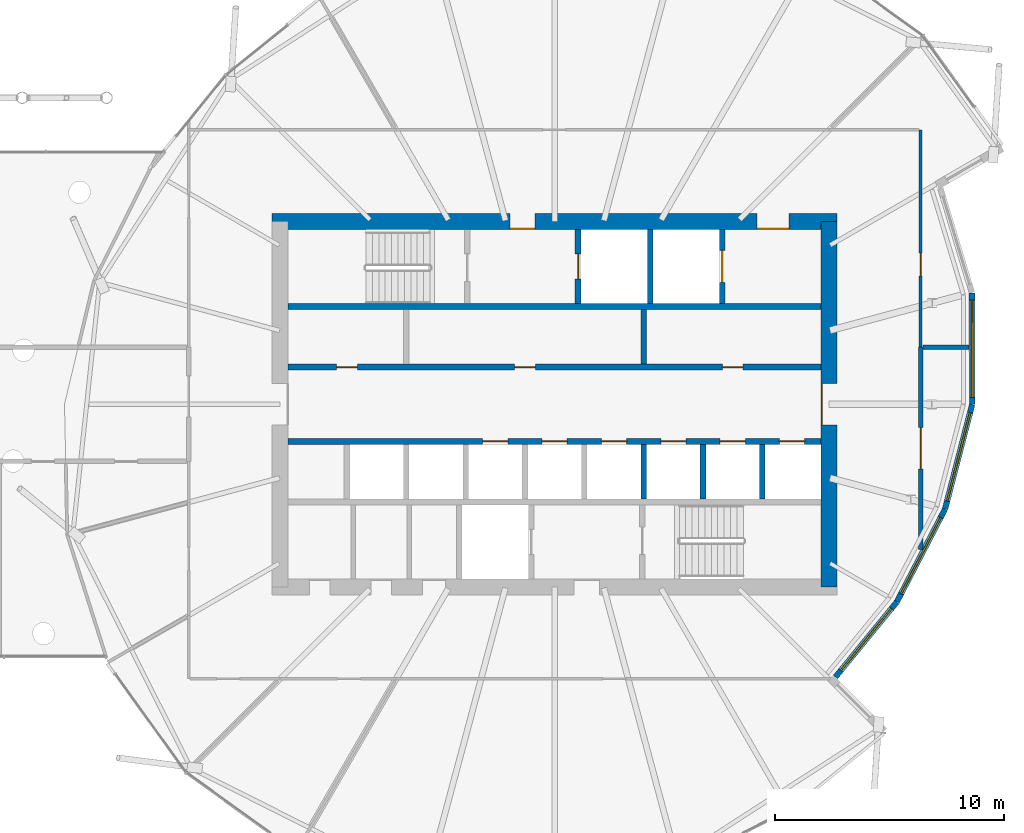
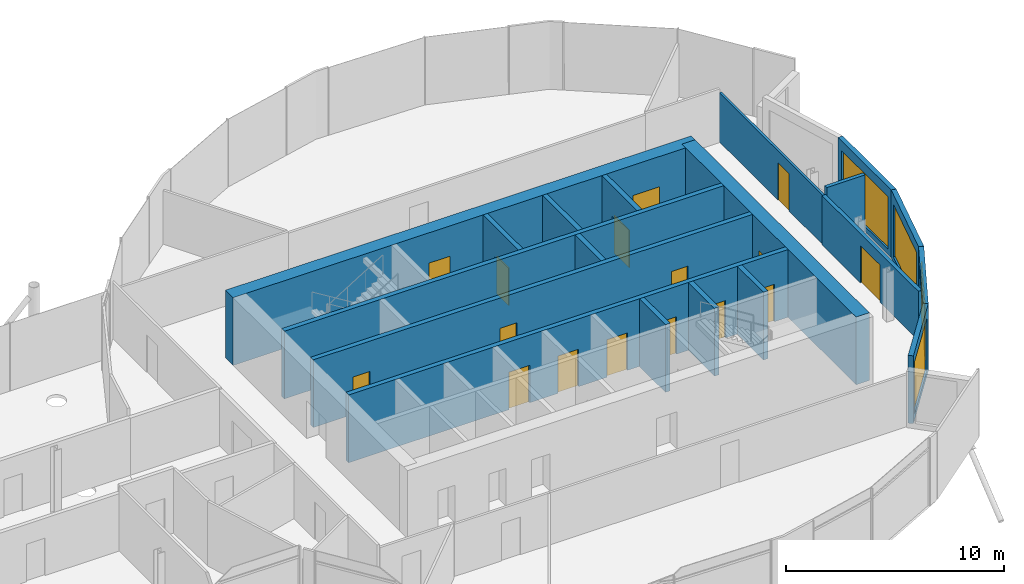
# One storey, part 27 of 39: 19 walls, 16 doors, 4 windows, 20 openings.
"""IFC4 building model written with IfcOpenShell, lengths in metres."""

from ifc_helpers import new_model, si_unit, direction, frame, frame_2d, origin, place, context, subcontext, project, spatial, rectangle, extrude, material, layer, layer_set, type_object, element, fill, save


model = new_model("IFC4")

# Units and contexts
model_context = context("Model", 3, precision=1e-05, world=origin(), true_north=direction((0.0, 1.0)))
body_context = subcontext(model_context, "Body", "Model", "MODEL_VIEW")
ifc_project = project(units=[si_unit("LENGTHUNIT", "METRE"), si_unit("AREAUNIT", "SQUARE_METRE"), si_unit("VOLUMEUNIT", "CUBIC_METRE"), si_unit("PLANEANGLEUNIT", "RADIAN"), si_unit("MASSUNIT", "GRAM", prefix="KILO")], contexts=[model_context])

# Site, building, storey
site_placement = place(None, origin())
site = spatial("IfcSite", under=ifc_project, at=site_placement, CompositionType="ELEMENT")
building_placement = place(site_placement, origin())
building = spatial("IfcBuilding", under=site, at=building_placement, Name="Rimbun Link Towers", CompositionType="ELEMENT")
storey_placement = place(building_placement, frame((0.0, 0.0, 139.199951171875)))
storey = spatial("IfcBuildingStorey", under=building, at=storey_placement, Name="L33", CompositionType="ELEMENT", Elevation=139.199951171875)

# Wall, opening, window
ifc_material_1 = material(Name="Dark enamelled glass spandrel on insulated aluminium backpan", Category="aluminium")
ifc_layer_1 = layer(ifc_material_1, 0.25)
ifc_layer_set_1 = layer_set([ifc_layer_1], Name="CS dark enamelled spandrel wall 250")
wall_type_1 = type_object("IfcWallType", Name="CS dark enamelled spandrel wall 250", PredefinedType="STANDARD", material=ifc_layer_set_1)
wall_1_placement = place(storey_placement, frame((46.711669921875, -8.646728515625, 0.0), z_axis=(0.0, 0.0, 1.0), x_axis=(-0.633071445917, -0.774093369281, 0.0)))
wall_1 = element("IfcWall", 1, at=wall_1_placement, inside=storey, type_object=wall_type_1, Name="Crease spandrel wall", PredefinedType="STANDARD", context=body_context, shape_type="SweptSolid", body=[
    extrude(rectangle(XDim=4.236328125, YDim=0.25, at=frame_2d((2.1181640625, 0.0))), origin(), (0.0, 0.0, 1.0), 3.800048828125),
])
opening_1_placement = place(wall_1_placement, frame((0.3681640625, 0.0, 0.300048828125)))
opening_1 = element("IfcOpeningElement", 2, at=opening_1_placement, cuts=wall_1, Name="Opening WR35H295", PredefinedType="OPENING", context=body_context, shape_type="SweptSolid", body=[
    extrude(rectangle(XDim=3.5, YDim=2.949951171875, at=frame_2d((1.75, 1.47509765625))), frame((0.0, 0.135009765625, 0.0), z_axis=(0.0, -1.0, 0.0), x_axis=(1.0, 0.0, 0.0)), (0.0, 0.0, 1.0), 0.27001953125),
])
ifc_material_2 = material(Name="Aluminium framed fixed window, dark tinted low-e glass", Category="aluminium")
window_type_1 = type_object("IfcWindowType", Name="WR ribbon window 3500X2950", PartitioningType="SINGLE_PANEL", PredefinedType="WINDOW", material=ifc_material_2)
window_1_placement = place(opening_1_placement, origin())
window_1 = element("IfcWindow", 3, at=window_1_placement, inside=storey, type_object=window_type_1, Name="Crease ribbon window", OverallHeight=2.949951171875, OverallWidth=3.5, PartitioningType="SINGLE_PANEL", PredefinedType="WINDOW", context=body_context, shape_type="SweptSolid", body=[
    extrude(rectangle(XDim=3.5, YDim=2.949951171875, at=frame_2d((1.75, 1.47509765625))), frame((0.0, 0.030029296875, 0.0), z_axis=(0.0, -1.0, 0.0), x_axis=(1.0, 0.0, 0.0)), (0.0, 0.0, 1.0), 0.06005859375),
])
fill(opening_1, window_1)

wall_2_placement = place(storey_placement, frame((48.820556640625, -4.587646484375, 0.0), z_axis=(0.0, 0.0, 1.0), x_axis=(-0.46103677095, -0.887381031931, 0.0)))
wall_2 = element("IfcWall", 4, at=wall_2_placement, inside=storey, type_object=wall_type_1, Name="Crease spandrel wall", PredefinedType="STANDARD", context=body_context, shape_type="SweptSolid", body=[
    extrude(rectangle(XDim=4.57421875, YDim=0.25, at=frame_2d((2.287109375, 0.0))), origin(), (0.0, 0.0, 1.0), 3.800048828125),
])
opening_2_placement = place(wall_2_placement, frame((0.412109375, 0.0, 0.300048828125)))
opening_2 = element("IfcOpeningElement", 5, at=opening_2_placement, cuts=wall_2, Name="Opening WR38H295", PredefinedType="OPENING", context=body_context, shape_type="SweptSolid", body=[
    extrude(rectangle(XDim=3.75, YDim=2.949951171875, at=frame_2d((1.875, 1.47509765625))), frame((0.0, 0.135009765625, 0.0), z_axis=(0.0, -1.0, 0.0), x_axis=(1.0, 0.0, 0.0)), (0.0, 0.0, 1.0), 0.27001953125),
])
ifc_material_3 = material(Name="Aluminium framed fixed window, dark tinted low-e glass", Category="aluminium")
window_type_2 = type_object("IfcWindowType", Name="WR ribbon window 3750X2950", PartitioningType="SINGLE_PANEL", PredefinedType="WINDOW", material=ifc_material_3)
window_2_placement = place(opening_2_placement, origin())
window_2 = element("IfcWindow", 6, at=window_2_placement, inside=storey, type_object=window_type_2, Name="Crease ribbon window", OverallHeight=2.949951171875, OverallWidth=3.75, PartitioningType="SINGLE_PANEL", PredefinedType="WINDOW", context=body_context, shape_type="SweptSolid", body=[
    extrude(rectangle(XDim=3.75, YDim=2.949951171875, at=frame_2d((1.875, 1.47509765625))), frame((0.0, 0.030029296875, 0.0), z_axis=(0.0, -1.0, 0.0), x_axis=(1.0, 0.0, 0.0)), (0.0, 0.0, 1.0), 0.06005859375),
])
fill(opening_2, window_2)

wall_3_placement = place(storey_placement, frame((50.00634765625, -0.015869140625, 0.0), z_axis=(0.0, 0.0, 1.0), x_axis=(-0.251064410387, -0.967970382727, 0.0)))
wall_3 = element("IfcWall", 7, at=wall_3_placement, inside=storey, type_object=wall_type_1, Name="Crease spandrel wall", PredefinedType="STANDARD", context=body_context, shape_type="SweptSolid", body=[
    extrude(rectangle(XDim=4.72314453125, YDim=0.25, at=frame_2d((2.361572265625, 0.0))), origin(), (0.0, 0.0, 1.0), 3.800048828125),
])
opening_3_placement = place(wall_3_placement, frame((0.361572265625, 0.0, 0.300048828125)))
opening_3 = element("IfcOpeningElement", 8, at=opening_3_placement, cuts=wall_3, Name="Opening WR40H295", PredefinedType="OPENING", context=body_context, shape_type="SweptSolid", body=[
    extrude(rectangle(XDim=4.0, YDim=2.949951171875, at=frame_2d((2.0, 1.47509765625))), frame((0.0, 0.135009765625, 0.0), z_axis=(0.0, -1.0, 0.0), x_axis=(1.0, 0.0, 0.0)), (0.0, 0.0, 1.0), 0.27001953125),
])
ifc_material_4 = material(Name="Aluminium framed fixed window, dark tinted low-e glass", Category="aluminium")
window_type_3 = type_object("IfcWindowType", Name="WR ribbon window 4000X2950", PartitioningType="SINGLE_PANEL", PredefinedType="WINDOW", material=ifc_material_4)
window_3_placement = place(opening_3_placement, origin())
window_3 = element("IfcWindow", 9, at=window_3_placement, inside=storey, type_object=window_type_3, Name="Crease ribbon window", OverallHeight=2.949951171875, OverallWidth=4.0, PartitioningType="SINGLE_PANEL", PredefinedType="WINDOW", context=body_context, shape_type="SweptSolid", body=[
    extrude(rectangle(XDim=4.0, YDim=2.949951171875, at=frame_2d((2.0, 1.47509765625))), frame((0.0, 0.030029296875, 0.0), z_axis=(0.0, -1.0, 0.0), x_axis=(1.0, 0.0, 0.0)), (0.0, 0.0, 1.0), 0.06005859375),
])
fill(opening_3, window_3)

wall_4_placement = place(storey_placement, frame((49.998291015625, 4.874755859375, 0.0), z_axis=(0.0, 0.0, 1.0), x_axis=(0.001647361982, -0.999998643098, 0.0)))
wall_4 = element("IfcWall", 10, at=wall_4_placement, inside=storey, type_object=wall_type_1, Name="Crease spandrel wall", PredefinedType="STANDARD", context=body_context, shape_type="SweptSolid", body=[
    extrude(rectangle(XDim=4.890625, YDim=0.25, at=frame_2d((2.4453125, 0.0))), origin(), (0.0, 0.0, 1.0), 3.800048828125),
])
opening_4_placement = place(wall_4_placement, frame((0.3203125, 0.0, 0.300048828125)))
opening_4 = element("IfcOpeningElement", 11, at=opening_4_placement, cuts=wall_4, Name="Opening WR42H295", PredefinedType="OPENING", context=body_context, shape_type="SweptSolid", body=[
    extrude(rectangle(XDim=4.25, YDim=2.949951171875, at=frame_2d((2.125, 1.47509765625))), frame((0.0, 0.135009765625, 0.0), z_axis=(0.0, -1.0, 0.0), x_axis=(1.0, 0.0, 0.0)), (0.0, 0.0, 1.0), 0.27001953125),
])
ifc_material_5 = material(Name="Aluminium framed fixed window, dark tinted low-e glass", Category="aluminium")
window_type_4 = type_object("IfcWindowType", Name="WR ribbon window 4250X2950", PartitioningType="SINGLE_PANEL", PredefinedType="WINDOW", material=ifc_material_5)
window_4_placement = place(opening_4_placement, origin())
window_4 = element("IfcWindow", 12, at=window_4_placement, inside=storey, type_object=window_type_4, Name="Crease ribbon window", OverallHeight=2.949951171875, OverallWidth=4.25, PartitioningType="SINGLE_PANEL", PredefinedType="WINDOW", context=body_context, shape_type="SweptSolid", body=[
    extrude(rectangle(XDim=4.25, YDim=2.949951171875, at=frame_2d((2.125, 1.47509765625))), frame((0.0, 0.030029296875, 0.0), z_axis=(0.0, -1.0, 0.0), x_axis=(1.0, 0.0, 0.0)), (0.0, 0.0, 1.0), 0.06005859375),
])
fill(opening_4, window_4)

# Wall, openings, doors
ifc_material_6 = material(Name="Concrete C60/75", Category="concrete")
ifc_layer_2 = layer(ifc_material_6, 0.699951171875)
ifc_layer_set_2 = layer_set([ifc_layer_2], Name="Core shear wall 700")
wall_type_2 = type_object("IfcWallType", Name="Core shear wall 700", PredefinedType="SHEAR", material=ifc_layer_set_2)
wall_5_placement = place(storey_placement, frame((19.39990234375, 8.0, 0.0), z_axis=(0.0, 0.0, 1.0), x_axis=(1.0, 0.0, 0.0)))
wall_5 = element("IfcWall", 13, at=wall_5_placement, inside=storey, type_object=wall_type_2, Name="L33 T2 core wall N", PredefinedType="SHEAR", context=body_context, shape_type="SweptSolid", body=[
    extrude(rectangle(XDim=24.7001953125, YDim=0.699951171875, at=frame_2d((12.35009765625, 0.0))), origin(), (0.0, 0.0, 1.0), 3.800048828125),
])
opening_5_placement = place(wall_5_placement, frame((10.39990234375, 0.0, 0.0)))
opening_5 = element("IfcOpeningElement", 14, at=opening_5_placement, cuts=wall_5, Name="Opening C2DCF01N", PredefinedType="OPENING", context=body_context, shape_type="SweptSolid", body=[
    extrude(rectangle(XDim=1.10009765625, YDim=2.10009765625, at=frame_2d((0.550048828125, 1.050048828125))), frame((0.0, 0.35986328125, 0.0), z_axis=(0.0, -1.0, 0.0), x_axis=(1.0, 0.0, 0.0)), (0.0, 0.0, 1.0), 0.719970703125),
])
opening_6_placement = place(wall_5_placement, frame((21.199951171875, 0.0, 0.0)))
opening_6 = element("IfcOpeningElement", 15, at=opening_6_placement, cuts=wall_5, Name="Opening C2DSL02N", PredefinedType="OPENING", context=body_context, shape_type="SweptSolid", body=[
    extrude(rectangle(XDim=1.39990234375, YDim=2.10009765625, at=frame_2d((0.699951171875, 1.050048828125))), frame((0.0, 0.35986328125, 0.0), z_axis=(0.0, -1.0, 0.0), x_axis=(1.0, 0.0, 0.0)), (0.0, 0.0, 1.0), 0.719970703125),
])
ifc_material_7 = material(Name="Steel fire door set", Category="steel")
door_type_1 = type_object("IfcDoorType", Name="Core fire door single", OperationType="SINGLE_SWING_LEFT", PredefinedType="DOOR", material=ifc_material_7)
door_1_placement = place(opening_5_placement, origin())
door_1 = element("IfcDoor", 16, at=door_1_placement, inside=storey, type_object=door_type_1, Name="L33 T2 firefighting lobby n door", OperationType="SINGLE_SWING_LEFT", OverallHeight=2.10009765625, OverallWidth=1.10009765625, PredefinedType="DOOR", context=body_context, shape_type="SweptSolid", body=[
    extrude(rectangle(XDim=1.10009765625, YDim=2.10009765625, at=frame_2d((0.550048828125, 1.050048828125))), frame((0.0, -0.2998046875, 0.0), z_axis=(0.0, -1.0, 0.0), x_axis=(1.0, 0.0, 0.0)), (0.0, 0.0, 1.0), 0.050048828125),
])
fill(opening_5, door_1)
ifc_material_8 = material(Name="Steel fire door set", Category="steel")
door_type_2 = type_object("IfcDoorType", Name="Service lobby door double", OperationType="DOUBLE_DOOR_SINGLE_SWING", PredefinedType="DOOR", material=ifc_material_8)
door_2_placement = place(opening_6_placement, origin())
door_2 = element("IfcDoor", 17, at=door_2_placement, inside=storey, type_object=door_type_2, Name="L33 T2 service lobby door", OperationType="DOUBLE_DOOR_SINGLE_SWING", OverallHeight=2.10009765625, OverallWidth=1.39990234375, PredefinedType="DOOR", context=body_context, shape_type="SweptSolid", body=[
    extrude(rectangle(XDim=1.39990234375, YDim=2.10009765625, at=frame_2d((0.699951171875, 1.050048828125))), frame((0.0, -0.2998046875, 0.0), z_axis=(0.0, -1.0, 0.0), x_axis=(1.0, 0.0, 0.0)), (0.0, 0.0, 1.0), 0.050048828125),
])
fill(opening_6, door_2)

# Wall, opening, door
wall_6_placement = place(storey_placement, frame((43.75, -8.0, 0.0), z_axis=(0.0, 0.0, 1.0), x_axis=(0.0, 1.0, 0.0)))
wall_6 = element("IfcWall", 18, at=wall_6_placement, inside=storey, type_object=wall_type_2, Name="L33 T2 core wall E", PredefinedType="SHEAR", context=body_context, shape_type="SweptSolid", body=[
    extrude(rectangle(XDim=16.0, YDim=0.699951171875, at=frame_2d((8.0, 0.0))), origin(), (0.0, 0.0, 1.0), 3.800048828125),
])
opening_7_placement = place(wall_6_placement, frame((7.10009765625, 0.0, 0.0)))
opening_7 = element("IfcOpeningElement", 19, at=opening_7_placement, cuts=wall_6, Name="Opening C2DCL01E", PredefinedType="OPENING", context=body_context, shape_type="SweptSolid", body=[
    extrude(rectangle(XDim=1.800048828125, YDim=2.10009765625, at=frame_2d((0.89990234375, 1.050048828125))), frame((0.0, 0.35986328125, 0.0), z_axis=(0.0, -1.0, 0.0), x_axis=(1.0, 0.0, 0.0)), (0.0, 0.0, 1.0), 0.719970703125),
])
ifc_material_9 = material(Name="Steel fire door set", Category="steel")
door_type_3 = type_object("IfcDoorType", Name="Core lobby door double", OperationType="DOUBLE_DOOR_SINGLE_SWING", PredefinedType="DOOR", material=ifc_material_9)
door_3_placement = place(opening_7_placement, origin())
door_3 = element("IfcDoor", 20, at=door_3_placement, inside=storey, type_object=door_type_3, Name="L33 T2 lift lobby door", OperationType="DOUBLE_DOOR_SINGLE_SWING", OverallHeight=2.10009765625, OverallWidth=1.800048828125, PredefinedType="DOOR", context=body_context, shape_type="SweptSolid", body=[
    extrude(rectangle(XDim=1.800048828125, YDim=2.10009765625, at=frame_2d((0.89990234375, 1.050048828125))), frame((0.0, 0.35009765625, 0.0), z_axis=(0.0, -1.0, 0.0), x_axis=(1.0, 0.0, 0.0)), (0.0, 0.0, 1.0), 0.050048828125),
])
fill(opening_7, door_3)

ifc_material_10 = material(Name="Concrete blockwork", Category="masonry")
ifc_layer_3 = layer(ifc_material_10, 0.199951171875)
ifc_layer_set_3 = layer_set([ifc_layer_3], Name="Fire partition 200 blockwork")
wall_type_3 = type_object("IfcWallType", Name="Fire partition 200 blockwork", PredefinedType="PARTITIONING", material=ifc_layer_set_3)
wall_7_placement = place(storey_placement, frame((47.75, -6.346923828125, 0.0), z_axis=(0.0, 0.0, 1.0), x_axis=(0.0, 1.0, 0.0)))
wall_7 = element("IfcWall", 21, at=wall_7_placement, inside=storey, type_object=wall_type_3, Name="TW/PW/L33/035", PredefinedType="PARTITIONING", context=body_context, shape_type="SweptSolid", body=[
    extrude(rectangle(XDim=8.846923828125, YDim=0.199951171875, at=frame_2d((4.42333984375, 0.0))), origin(), (0.0, 0.0, 1.0), 2.759033203125),
])
opening_8_placement = place(wall_7_placement, frame((3.52294921875, 0.0, 0.0)))
opening_8 = element("IfcOpeningElement", 22, at=opening_8_placement, cuts=wall_7, Name="Opening TW D33.25", PredefinedType="OPENING", context=body_context, shape_type="SweptSolid", body=[
    extrude(rectangle(XDim=1.800048828125, YDim=2.10009765625, at=frame_2d((0.89990234375, 1.050048828125))), frame((0.0, 0.10986328125, 0.0), z_axis=(0.0, -1.0, 0.0), x_axis=(1.0, 0.0, 0.0)), (0.0, 0.0, 1.0), 0.219970703125),
])
ifc_material_11 = material(Name="Steel fire door set", Category="steel")
door_type_4 = type_object("IfcDoorType", Name="Fire door double leaf 1800 x 2100", OperationType="NOTDEFINED", PredefinedType="DOOR", material=ifc_material_11)
door_4_placement = place(opening_8_placement, origin())
door_4 = element("IfcDoor", 23, at=door_4_placement, inside=storey, type_object=door_type_4, Name="TW/DR/L33/025", OperationType="DOUBLE_DOOR_SINGLE_SWING", OverallHeight=2.10009765625, OverallWidth=1.800048828125, PredefinedType="DOOR", context=body_context, shape_type="SweptSolid", body=[
    extrude(rectangle(XDim=1.800048828125, YDim=2.10009765625, at=frame_2d((0.89990234375, 1.050048828125))), frame((0.0, 0.02490234375, 0.0), z_axis=(0.0, -1.0, 0.0), x_axis=(1.0, 0.0, 0.0)), (0.0, 0.0, 1.0), 0.050048828125),
])
fill(opening_8, door_4)

# Wall
wall_8_placement = place(storey_placement, frame((49.877197265625, 2.5, 0.0), z_axis=(0.0, 0.0, 1.0), x_axis=(-1.0, 0.0, 0.0)))
element("IfcWall", 24, at=wall_8_placement, inside=storey, type_object=wall_type_3, Name="TW/PW/L33/048", PredefinedType="PARTITIONING", context=body_context, shape_type="SweptSolid", body=[
    extrude(rectangle(XDim=2.027099609375, YDim=0.199951171875, at=frame_2d((1.013671875, 0.0))), origin(), (0.0, 0.0, 1.0), 3.194091796875),
])

# Wall, opening, door
ifc_material_12 = material(Name="Gypsum board on steel studs", Category="steel")
ifc_layer_4 = layer(ifc_material_12, 0.125)
ifc_layer_set_4 = layer_set([ifc_layer_4], Name="Partition 125 board on studs")
wall_type_4 = type_object("IfcWallType", Name="Partition 125 board on studs", PredefinedType="PARTITIONING", material=ifc_layer_set_4)
wall_9_placement = place(storey_placement, frame((47.75, 2.5, 0.0), z_axis=(0.0, 0.0, 1.0), x_axis=(0.0, 1.0, 0.0)))
wall_9 = element("IfcWall", 25, at=wall_9_placement, inside=storey, type_object=wall_type_4, Name="TW/PW/L33/042", PredefinedType="PARTITIONING", context=body_context, shape_type="SweptSolid", body=[
    extrude(rectangle(XDim=9.5, YDim=0.125, at=frame_2d((4.75, 0.0))), origin(), (0.0, 0.0, 1.0), 2.759033203125),
])
opening_9_placement = place(wall_9_placement, frame((3.110107421875, 0.0, 0.0)))
opening_9 = element("IfcOpeningElement", 26, at=opening_9_placement, cuts=wall_9, Name="Opening TW D33.14", PredefinedType="OPENING", context=body_context, shape_type="SweptSolid", body=[
    extrude(rectangle(XDim=1.0, YDim=2.10009765625, at=frame_2d((0.5, 1.050048828125))), frame((0.0, 0.072509765625, 0.0), z_axis=(0.0, -1.0, 0.0), x_axis=(1.0, 0.0, 0.0)), (0.0, 0.0, 1.0), 0.14501953125),
])
ifc_material_13 = material(Name="Timber door set", Category="wood")
door_type_5 = type_object("IfcDoorType", Name="Door single leaf 1000 x 2100", OperationType="NOTDEFINED", PredefinedType="DOOR", material=ifc_material_13)
door_5_placement = place(opening_9_placement, origin())
door_5 = element("IfcDoor", 27, at=door_5_placement, inside=storey, type_object=door_type_5, Name="TW/DR/L33/014", OperationType="SINGLE_SWING_LEFT", OverallHeight=2.10009765625, OverallWidth=1.0, PredefinedType="DOOR", context=body_context, shape_type="SweptSolid", body=[
    extrude(rectangle(XDim=1.0, YDim=2.10009765625, at=frame_2d((0.5, 1.050048828125))), frame((0.0, 0.02490234375, 0.0), z_axis=(0.0, -1.0, 0.0), x_axis=(1.0, 0.0, 0.0)), (0.0, 0.0, 1.0), 0.050048828125),
])
fill(opening_9, door_5)

# Wall
ifc_material_14 = material(Name="Concrete C60/75", Category="concrete")
ifc_layer_5 = layer(ifc_material_14, 0.25)
ifc_layer_set_5 = layer_set([ifc_layer_5], Name="Shaft wall 250")
wall_type_5 = type_object("IfcWallType", Name="Shaft wall 250", PredefinedType="SHEAR", material=ifc_layer_set_5)
wall_10_placement = place(storey_placement, frame((20.10009765625, 4.27490234375, 0.0), z_axis=(0.0, 0.0, 1.0), x_axis=(1.0, 0.0, 0.0)))
element("IfcWall", 28, at=wall_10_placement, inside=storey, type_object=wall_type_5, Name="L33 T2 core wall BN", PredefinedType="SHEAR", context=body_context, shape_type="SweptSolid", body=[
    extrude(rectangle(XDim=23.2998046875, YDim=0.25, at=frame_2d((11.64990234375, 0.0))), origin(), (0.0, 0.0, 1.0), 3.800048828125),
])

# Wall, openings, doors
wall_11_placement = place(storey_placement, frame((20.10009765625, 1.625, 0.0), z_axis=(0.0, 0.0, 1.0), x_axis=(1.0, 0.0, 0.0)))
wall_11 = element("IfcWall", 29, at=wall_11_placement, inside=storey, type_object=wall_type_5, Name="L33 T2 core wall FN", PredefinedType="SHEAR", context=body_context, shape_type="SweptSolid", body=[
    extrude(rectangle(XDim=23.2998046875, YDim=0.25, at=frame_2d((11.64990234375, 0.0))), origin(), (0.0, 0.0, 1.0), 3.800048828125),
])
opening_10_placement = place(wall_11_placement, frame((2.119384765625, 0.0, 0.0)))
opening_10 = element("IfcOpeningElement", 30, at=opening_10_placement, cuts=wall_11, Name="Opening C2DRS01FN", PredefinedType="OPENING", context=body_context, shape_type="SweptSolid", body=[
    extrude(rectangle(XDim=0.89990234375, YDim=2.10009765625, at=frame_2d((0.449951171875, 1.050048828125))), frame((0.0, 0.135009765625, 0.0), z_axis=(0.0, -1.0, 0.0), x_axis=(1.0, 0.0, 0.0)), (0.0, 0.0, 1.0), 0.27001953125),
])
opening_11_placement = place(wall_11_placement, frame((9.90283203125, 0.0, 0.0)))
opening_11 = element("IfcOpeningElement", 31, at=opening_11_placement, cuts=wall_11, Name="Opening C2DRS02FN", PredefinedType="OPENING", context=body_context, shape_type="SweptSolid", body=[
    extrude(rectangle(XDim=0.89990234375, YDim=2.10009765625, at=frame_2d((0.449951171875, 1.050048828125))), frame((0.0, 0.135009765625, 0.0), z_axis=(0.0, -1.0, 0.0), x_axis=(1.0, 0.0, 0.0)), (0.0, 0.0, 1.0), 0.27001953125),
])
opening_12_placement = place(wall_11_placement, frame((18.9833984375, 0.0, 0.0)))
opening_12 = element("IfcOpeningElement", 32, at=opening_12_placement, cuts=wall_11, Name="Opening C2DRS03FN", PredefinedType="OPENING", context=body_context, shape_type="SweptSolid", body=[
    extrude(rectangle(XDim=0.89990234375, YDim=2.10009765625, at=frame_2d((0.449951171875, 1.050048828125))), frame((0.0, 0.135009765625, 0.0), z_axis=(0.0, -1.0, 0.0), x_axis=(1.0, 0.0, 0.0)), (0.0, 0.0, 1.0), 0.27001953125),
])
ifc_material_15 = material(Name="Steel fire door set", Category="steel")
door_type_6 = type_object("IfcDoorType", Name="Core riser door", OperationType="SINGLE_SWING_LEFT", PredefinedType="DOOR", material=ifc_material_15)
door_6_placement = place(opening_10_placement, origin())
door_6 = element("IfcDoor", 33, at=door_6_placement, inside=storey, type_object=door_type_6, Name="L33 T2 print room door", OperationType="SINGLE_SWING_LEFT", OverallHeight=2.10009765625, OverallWidth=0.89990234375, PredefinedType="DOOR", context=body_context, shape_type="SweptSolid", body=[
    extrude(rectangle(XDim=0.89990234375, YDim=2.10009765625, at=frame_2d((0.449951171875, 1.050048828125))), frame((0.0, 0.02490234375, 0.0), z_axis=(0.0, -1.0, 0.0), x_axis=(1.0, 0.0, 0.0)), (0.0, 0.0, 1.0), 0.050048828125),
])
fill(opening_10, door_6)
door_7_placement = place(opening_11_placement, origin())
door_7 = element("IfcDoor", 34, at=door_7_placement, inside=storey, type_object=door_type_6, Name="L33 T2 services room door", OperationType="SINGLE_SWING_LEFT", OverallHeight=2.10009765625, OverallWidth=0.89990234375, PredefinedType="DOOR", context=body_context, shape_type="SweptSolid", body=[
    extrude(rectangle(XDim=0.89990234375, YDim=2.10009765625, at=frame_2d((0.449951171875, 1.050048828125))), frame((0.0, 0.02490234375, 0.0), z_axis=(0.0, -1.0, 0.0), x_axis=(1.0, 0.0, 0.0)), (0.0, 0.0, 1.0), 0.050048828125),
])
fill(opening_11, door_7)
door_8_placement = place(opening_12_placement, origin())
door_8 = element("IfcDoor", 35, at=door_8_placement, inside=storey, type_object=door_type_6, Name="L33 T2 records store door", OperationType="SINGLE_SWING_LEFT", OverallHeight=2.10009765625, OverallWidth=0.89990234375, PredefinedType="DOOR", context=body_context, shape_type="SweptSolid", body=[
    extrude(rectangle(XDim=0.89990234375, YDim=2.10009765625, at=frame_2d((0.449951171875, 1.050048828125))), frame((0.0, 0.02490234375, 0.0), z_axis=(0.0, -1.0, 0.0), x_axis=(1.0, 0.0, 0.0)), (0.0, 0.0, 1.0), 0.050048828125),
])
fill(opening_12, door_8)

wall_12_placement = place(storey_placement, frame((20.10009765625, -1.625, 0.0), z_axis=(0.0, 0.0, 1.0), x_axis=(1.0, 0.0, 0.0)))
wall_12 = element("IfcWall", 36, at=wall_12_placement, inside=storey, type_object=wall_type_5, Name="L33 T2 core wall FS", PredefinedType="SHEAR", context=body_context, shape_type="SweptSolid", body=[
    extrude(rectangle(XDim=23.2998046875, YDim=0.25, at=frame_2d((11.64990234375, 0.0))), origin(), (0.0, 0.0, 1.0), 3.800048828125),
])
opening_13_placement = place(wall_12_placement, frame((8.505615234375, 0.0, 0.0)))
opening_13 = element("IfcOpeningElement", 37, at=opening_13_placement, cuts=wall_12, Name="Opening LD-T2-HR1", PredefinedType="OPENING", context=body_context, shape_type="SweptSolid", body=[
    extrude(rectangle(XDim=1.10009765625, YDim=2.10009765625, at=frame_2d((0.550048828125, 1.050048828125))), frame((0.0, 0.135009765625, 0.0), z_axis=(0.0, -1.0, 0.0), x_axis=(1.0, 0.0, 0.0)), (0.0, 0.0, 1.0), 0.27001953125),
])
opening_14_placement = place(wall_12_placement, frame((11.10009765625, 0.0, 0.0)))
opening_14 = element("IfcOpeningElement", 38, at=opening_14_placement, cuts=wall_12, Name="Opening LD-T2-HR2", PredefinedType="OPENING", context=body_context, shape_type="SweptSolid", body=[
    extrude(rectangle(XDim=1.10009765625, YDim=2.10009765625, at=frame_2d((0.550048828125, 1.050048828125))), frame((0.0, 0.135009765625, 0.0), z_axis=(0.0, -1.0, 0.0), x_axis=(1.0, 0.0, 0.0)), (0.0, 0.0, 1.0), 0.27001953125),
])
opening_15_placement = place(wall_12_placement, frame((13.6943359375, 0.0, 0.0)))
opening_15 = element("IfcOpeningElement", 39, at=opening_15_placement, cuts=wall_12, Name="Opening LD-T2-HR3", PredefinedType="OPENING", context=body_context, shape_type="SweptSolid", body=[
    extrude(rectangle(XDim=1.10009765625, YDim=2.10009765625, at=frame_2d((0.550048828125, 1.050048828125))), frame((0.0, 0.135009765625, 0.0), z_axis=(0.0, -1.0, 0.0), x_axis=(1.0, 0.0, 0.0)), (0.0, 0.0, 1.0), 0.27001953125),
])
opening_16_placement = place(wall_12_placement, frame((16.288818359375, 0.0, 0.0)))
opening_16 = element("IfcOpeningElement", 40, at=opening_16_placement, cuts=wall_12, Name="Opening LD-T2-HR4", PredefinedType="OPENING", context=body_context, shape_type="SweptSolid", body=[
    extrude(rectangle(XDim=1.10009765625, YDim=2.10009765625, at=frame_2d((0.550048828125, 1.050048828125))), frame((0.0, 0.135009765625, 0.0), z_axis=(0.0, -1.0, 0.0), x_axis=(1.0, 0.0, 0.0)), (0.0, 0.0, 1.0), 0.27001953125),
])
opening_17_placement = place(wall_12_placement, frame((18.88330078125, 0.0, 0.0)))
opening_17 = element("IfcOpeningElement", 41, at=opening_17_placement, cuts=wall_12, Name="Opening LD-T2-HR5", PredefinedType="OPENING", context=body_context, shape_type="SweptSolid", body=[
    extrude(rectangle(XDim=1.10009765625, YDim=2.10009765625, at=frame_2d((0.550048828125, 1.050048828125))), frame((0.0, 0.135009765625, 0.0), z_axis=(0.0, -1.0, 0.0), x_axis=(1.0, 0.0, 0.0)), (0.0, 0.0, 1.0), 0.27001953125),
])
opening_18_placement = place(wall_12_placement, frame((21.477783203125, 0.0, 0.0)))
opening_18 = element("IfcOpeningElement", 42, at=opening_18_placement, cuts=wall_12, Name="Opening LD-T2-HR6", PredefinedType="OPENING", context=body_context, shape_type="SweptSolid", body=[
    extrude(rectangle(XDim=1.10009765625, YDim=2.10009765625, at=frame_2d((0.550048828125, 1.050048828125))), frame((0.0, 0.135009765625, 0.0), z_axis=(0.0, -1.0, 0.0), x_axis=(1.0, 0.0, 0.0)), (0.0, 0.0, 1.0), 0.27001953125),
])
ifc_material_16 = material(Name="Stainless steel grade 316", Category="steel")
door_type_7 = type_object("IfcDoorType", Name="Lift landing door", OperationType="DOUBLE_DOOR_SLIDING", PredefinedType="DOOR", material=ifc_material_16)
door_9_placement = place(opening_13_placement, origin())
door_9 = element("IfcDoor", 43, at=door_9_placement, inside=storey, type_object=door_type_7, Name="L33 T2 lift HR1 landing door", OperationType="DOUBLE_DOOR_SLIDING", OverallHeight=2.10009765625, OverallWidth=1.10009765625, PredefinedType="DOOR", context=body_context, shape_type="SweptSolid", body=[
    extrude(rectangle(XDim=1.10009765625, YDim=2.10009765625, at=frame_2d((0.550048828125, 1.050048828125))), frame((0.0, 0.02490234375, 0.0), z_axis=(0.0, -1.0, 0.0), x_axis=(1.0, 0.0, 0.0)), (0.0, 0.0, 1.0), 0.050048828125),
])
fill(opening_13, door_9)
door_10_placement = place(opening_14_placement, origin())
door_10 = element("IfcDoor", 44, at=door_10_placement, inside=storey, type_object=door_type_7, Name="L33 T2 lift HR2 landing door", OperationType="DOUBLE_DOOR_SLIDING", OverallHeight=2.10009765625, OverallWidth=1.10009765625, PredefinedType="DOOR", context=body_context, shape_type="SweptSolid", body=[
    extrude(rectangle(XDim=1.10009765625, YDim=2.10009765625, at=frame_2d((0.550048828125, 1.050048828125))), frame((0.0, 0.02490234375, 0.0), z_axis=(0.0, -1.0, 0.0), x_axis=(1.0, 0.0, 0.0)), (0.0, 0.0, 1.0), 0.050048828125),
])
fill(opening_14, door_10)
door_11_placement = place(opening_15_placement, origin())
door_11 = element("IfcDoor", 45, at=door_11_placement, inside=storey, type_object=door_type_7, Name="L33 T2 lift HR3 landing door", OperationType="DOUBLE_DOOR_SLIDING", OverallHeight=2.10009765625, OverallWidth=1.10009765625, PredefinedType="DOOR", context=body_context, shape_type="SweptSolid", body=[
    extrude(rectangle(XDim=1.10009765625, YDim=2.10009765625, at=frame_2d((0.550048828125, 1.050048828125))), frame((0.0, 0.02490234375, 0.0), z_axis=(0.0, -1.0, 0.0), x_axis=(1.0, 0.0, 0.0)), (0.0, 0.0, 1.0), 0.050048828125),
])
fill(opening_15, door_11)
door_12_placement = place(opening_16_placement, origin())
door_12 = element("IfcDoor", 46, at=door_12_placement, inside=storey, type_object=door_type_7, Name="L33 T2 lift HR4 landing door", OperationType="DOUBLE_DOOR_SLIDING", OverallHeight=2.10009765625, OverallWidth=1.10009765625, PredefinedType="DOOR", context=body_context, shape_type="SweptSolid", body=[
    extrude(rectangle(XDim=1.10009765625, YDim=2.10009765625, at=frame_2d((0.550048828125, 1.050048828125))), frame((0.0, 0.02490234375, 0.0), z_axis=(0.0, -1.0, 0.0), x_axis=(1.0, 0.0, 0.0)), (0.0, 0.0, 1.0), 0.050048828125),
])
fill(opening_16, door_12)
door_13_placement = place(opening_17_placement, origin())
door_13 = element("IfcDoor", 47, at=door_13_placement, inside=storey, type_object=door_type_7, Name="L33 T2 lift HR5 landing door", OperationType="DOUBLE_DOOR_SLIDING", OverallHeight=2.10009765625, OverallWidth=1.10009765625, PredefinedType="DOOR", context=body_context, shape_type="SweptSolid", body=[
    extrude(rectangle(XDim=1.10009765625, YDim=2.10009765625, at=frame_2d((0.550048828125, 1.050048828125))), frame((0.0, 0.02490234375, 0.0), z_axis=(0.0, -1.0, 0.0), x_axis=(1.0, 0.0, 0.0)), (0.0, 0.0, 1.0), 0.050048828125),
])
fill(opening_17, door_13)
door_14_placement = place(opening_18_placement, origin())
door_14 = element("IfcDoor", 48, at=door_14_placement, inside=storey, type_object=door_type_7, Name="L33 T2 lift HR6 landing door", OperationType="DOUBLE_DOOR_SLIDING", OverallHeight=2.10009765625, OverallWidth=1.10009765625, PredefinedType="DOOR", context=body_context, shape_type="SweptSolid", body=[
    extrude(rectangle(XDim=1.10009765625, YDim=2.10009765625, at=frame_2d((0.550048828125, 1.050048828125))), frame((0.0, 0.02490234375, 0.0), z_axis=(0.0, -1.0, 0.0), x_axis=(1.0, 0.0, 0.0)), (0.0, 0.0, 1.0), 0.050048828125),
])
fill(opening_18, door_14)

# Walls
for number, where, z_axis, x_axis, name in (
    (49, (35.6416015625, 1.75, 0.0), (0.0, 0.0, 1.0), (0.0, 1.0, 0.0), "L33 T2 core wall DN5"),
    (50, (35.6416015625, -4.14990234375, 0.0), (0.0, 0.0, 1.0), (0.0, 1.0, 0.0), "L33 T2 core wall DS5"),
    (51, (38.236083984375, -4.14990234375, 0.0), (0.0, 0.0, 1.0), (0.0, 1.0, 0.0), "L33 T2 core wall DS6"),
    (52, (40.83056640625, -4.14990234375, 0.0), (0.0, 0.0, 1.0), (0.0, 1.0, 0.0), "L33 T2 core wall DS7"),
):
    element("IfcWall", number, at=place(storey_placement, frame(where, z_axis=z_axis, x_axis=x_axis)), inside=storey, type_object=wall_type_5, Name=name, PredefinedType="SHEAR", context=body_context, shape_type="SweptSolid", body=[
        extrude(rectangle(XDim=2.39990234375, YDim=0.25, at=frame_2d((1.199951171875, 0.0))), origin(), (0.0, 0.0, 1.0), 3.800048828125),
    ])

# Wall, opening, door
wall_13_placement = place(storey_placement, frame((32.77490234375, 4.39990234375, 0.0), z_axis=(0.0, 0.0, 1.0), x_axis=(0.0, 1.0, 0.0)))
wall_13 = element("IfcWall", 53, at=wall_13_placement, inside=storey, type_object=wall_type_5, Name="L33 T2 core wall A2", PredefinedType="SHEAR", context=body_context, shape_type="SweptSolid", body=[
    extrude(rectangle(XDim=3.25, YDim=0.25, at=frame_2d((1.625, 0.0))), origin(), (0.0, 0.0, 1.0), 3.800048828125),
])
opening_19_placement = place(wall_13_placement, frame((1.074951171875, 0.0, 0.0)))
opening_19 = element("IfcOpeningElement", 54, at=opening_19_placement, cuts=wall_13, Name="Opening LD-T2-FF1", PredefinedType="OPENING", context=body_context, shape_type="SweptSolid", body=[
    extrude(rectangle(XDim=1.10009765625, YDim=2.10009765625, at=frame_2d((0.550048828125, 1.050048828125))), frame((0.0, 0.135009765625, 0.0), z_axis=(0.0, -1.0, 0.0), x_axis=(1.0, 0.0, 0.0)), (0.0, 0.0, 1.0), 0.27001953125),
])
door_15_placement = place(opening_19_placement, origin())
door_15 = element("IfcDoor", 55, at=door_15_placement, inside=storey, type_object=door_type_7, Name="L33 T2 lift FF1 landing door", OperationType="DOUBLE_DOOR_SLIDING", OverallHeight=2.10009765625, OverallWidth=1.10009765625, PredefinedType="DOOR", context=body_context, shape_type="SweptSolid", body=[
    extrude(rectangle(XDim=1.10009765625, YDim=2.10009765625, at=frame_2d((0.550048828125, 1.050048828125))), frame((0.0, 0.02490234375, 0.0), z_axis=(0.0, -1.0, 0.0), x_axis=(1.0, 0.0, 0.0)), (0.0, 0.0, 1.0), 0.050048828125),
])
fill(opening_19, door_15)

# Wall
wall_14_placement = place(storey_placement, frame((35.925048828125, 4.39990234375, 0.0), z_axis=(0.0, 0.0, 1.0), x_axis=(0.0, 1.0, 0.0)))
element("IfcWall", 56, at=wall_14_placement, inside=storey, type_object=wall_type_5, Name="L33 T2 core wall A3", PredefinedType="SHEAR", context=body_context, shape_type="SweptSolid", body=[
    extrude(rectangle(XDim=3.25, YDim=0.25, at=frame_2d((1.625, 0.0))), origin(), (0.0, 0.0, 1.0), 3.800048828125),
])

# Wall, opening, door
wall_15_placement = place(storey_placement, frame((39.074951171875, 4.39990234375, 0.0), z_axis=(0.0, 0.0, 1.0), x_axis=(0.0, 1.0, 0.0)))
wall_15 = element("IfcWall", 57, at=wall_15_placement, inside=storey, type_object=wall_type_5, Name="L33 T2 core wall A4", PredefinedType="SHEAR", context=body_context, shape_type="SweptSolid", body=[
    extrude(rectangle(XDim=3.25, YDim=0.25, at=frame_2d((1.625, 0.0))), origin(), (0.0, 0.0, 1.0), 3.800048828125),
])
opening_20_placement = place(wall_15_placement, frame((0.925048828125, 0.0, 0.0)))
opening_20 = element("IfcOpeningElement", 58, at=opening_20_placement, cuts=wall_15, Name="Opening LD-T2-GL1", PredefinedType="OPENING", context=body_context, shape_type="SweptSolid", body=[
    extrude(rectangle(XDim=1.39990234375, YDim=2.10009765625, at=frame_2d((0.699951171875, 1.050048828125))), frame((0.0, 0.135009765625, 0.0), z_axis=(0.0, -1.0, 0.0), x_axis=(1.0, 0.0, 0.0)), (0.0, 0.0, 1.0), 0.27001953125),
])
ifc_material_17 = material(Name="Stainless steel grade 316", Category="steel")
door_type_8 = type_object("IfcDoorType", Name="Goods lift landing door", OperationType="DOUBLE_DOOR_SLIDING", PredefinedType="DOOR", material=ifc_material_17)
door_16_placement = place(opening_20_placement, origin())
door_16 = element("IfcDoor", 59, at=door_16_placement, inside=storey, type_object=door_type_8, Name="L33 T2 lift GL1 landing door", OperationType="DOUBLE_DOOR_SLIDING", OverallHeight=2.10009765625, OverallWidth=1.39990234375, PredefinedType="DOOR", context=body_context, shape_type="SweptSolid", body=[
    extrude(rectangle(XDim=1.39990234375, YDim=2.10009765625, at=frame_2d((0.699951171875, 1.050048828125))), frame((0.0, 0.02490234375, 0.0), z_axis=(0.0, -1.0, 0.0), x_axis=(1.0, 0.0, 0.0)), (0.0, 0.0, 1.0), 0.050048828125),
])
fill(opening_20, door_16)

save(model, "model.ifc")
